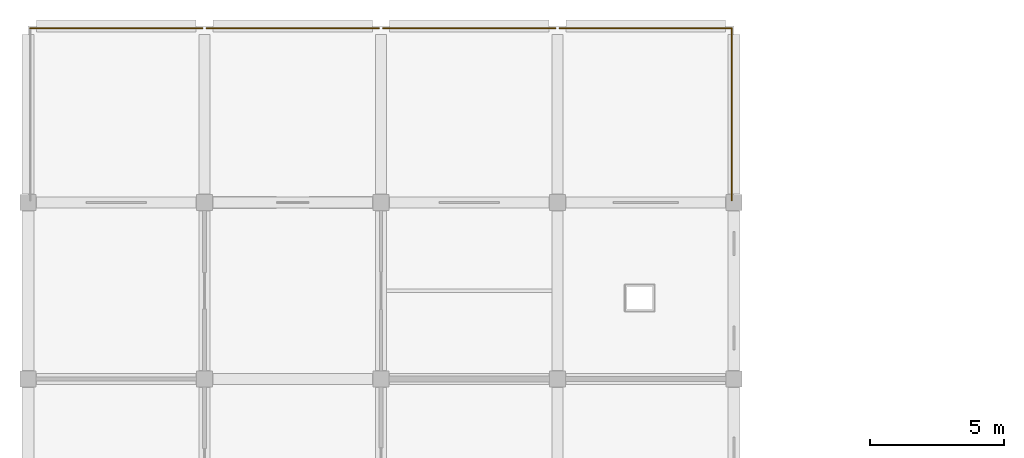
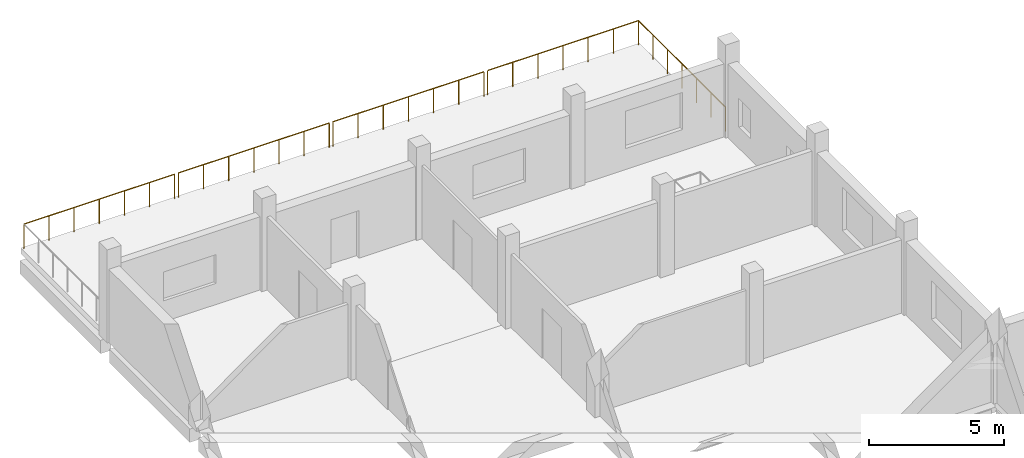
# One storey, part 7 of 7: 5 railings.
"""IFC4 building model written with IfcOpenShell, lengths in metres."""

from ifc_helpers import new_model, si_unit, direction, frame, origin, origin_2d, place, context, subcontext, project, spatial, circle, extrude, material, type_object, element, save


model = new_model("IFC4")

# Units and contexts
model_context = context("Model", 3, precision=1e-05, world=origin(), true_north=direction((0.0, 1.0)))
body_context = subcontext(model_context, "Body", "Model", "MODEL_VIEW")
ifc_project = project(units=[si_unit("LENGTHUNIT", "METRE"), si_unit("AREAUNIT", "SQUARE_METRE"), si_unit("VOLUMEUNIT", "CUBIC_METRE"), si_unit("PLANEANGLEUNIT", "RADIAN"), si_unit("MASSUNIT", "GRAM", prefix="KILO")], contexts=[model_context])

# Site, building, storey
site_placement = place(None, origin())
site = spatial("IfcSite", under=ifc_project, at=site_placement, CompositionType="ELEMENT")
building_placement = place(site_placement, origin())
building = spatial("IfcBuilding", under=site, at=building_placement, Name="Rusizi Kubbe Research Institute", CompositionType="ELEMENT")
storey_placement = place(building_placement, frame((0.0, 0.0, 64.800048828125)))
storey = spatial("IfcBuildingStorey", under=building, at=storey_placement, Name="L15", CompositionType="ELEMENT", Elevation=64.800048828125)

# Railings
ifc_material = material(Name="Architectural Painted Steel Balustrade", Category="steel")
railing_type = type_object("IfcRailingType", Name="GR-EXT", PredefinedType="GUARDRAIL", material=ifc_material)
railing_1_placement = place(storey_placement, frame((0.080078125, 52.719970703125, 0.0)))
element("IfcRailing", 1, at=railing_1_placement, inside=storey, type_object=railing_type, Name="Roof Terrace Guard L15-01", PredefinedType="GUARDRAIL", context=body_context, shape_type="SweptSolid", body=[
    extrude(circle(Radius=0.02392578125, at=origin_2d()), frame((0.0, 0.0, 1.09619140625), z_axis=(1.0, 0.0, 0.0), x_axis=(0.0, 1.0, 0.0)), (0.0, 0.0, 1.0), 6.43994140625),
    extrude(circle(Radius=0.02099609375, at=origin_2d()), origin(), (0.0, 0.0, 1.0), 1.072021484375),
    extrude(circle(Radius=0.02099609375, at=origin_2d()), frame((1.0732421875, 0.0, 0.0)), (0.0, 0.0, 1.0), 1.072021484375),
    extrude(circle(Radius=0.02099609375, at=origin_2d()), frame((2.146728515625, 0.0, 0.0)), (0.0, 0.0, 1.0), 1.072021484375),
    extrude(circle(Radius=0.02099609375, at=origin_2d()), frame((3.219970703125, 0.0, 0.0)), (0.0, 0.0, 1.0), 1.072021484375),
    extrude(circle(Radius=0.02099609375, at=origin_2d()), frame((4.293212890625, 0.0, 0.0)), (0.0, 0.0, 1.0), 1.072021484375),
    extrude(circle(Radius=0.02099609375, at=origin_2d()), frame((5.36669921875, 0.0, 0.0)), (0.0, 0.0, 1.0), 1.072021484375),
    extrude(circle(Radius=0.02099609375, at=origin_2d()), frame((6.43994140625, 0.0, 0.0)), (0.0, 0.0, 1.0), 1.072021484375),
])
railing_2_placement = place(storey_placement, frame((6.679931640625, 52.719970703125, 0.0)))
element("IfcRailing", 2, at=railing_2_placement, inside=storey, type_object=railing_type, Name="Roof Terrace Guard L15-03", PredefinedType="GUARDRAIL", context=body_context, shape_type="SweptSolid", body=[
    extrude(circle(Radius=0.02392578125, at=origin_2d()), frame((0.0, 0.0, 1.09619140625), z_axis=(1.0, 0.0, 0.0), x_axis=(0.0, 1.0, 0.0)), (0.0, 0.0, 1.0), 6.440185546875),
    extrude(circle(Radius=0.02099609375, at=origin_2d()), origin(), (0.0, 0.0, 1.0), 1.072021484375),
    extrude(circle(Radius=0.02099609375, at=origin_2d()), frame((1.0732421875, 0.0, 0.0)), (0.0, 0.0, 1.0), 1.072021484375),
    extrude(circle(Radius=0.02099609375, at=origin_2d()), frame((2.146728515625, 0.0, 0.0)), (0.0, 0.0, 1.0), 1.072021484375),
    extrude(circle(Radius=0.02099609375, at=origin_2d()), frame((3.22021484375, 0.0, 0.0)), (0.0, 0.0, 1.0), 1.072021484375),
    extrude(circle(Radius=0.02099609375, at=origin_2d()), frame((4.29345703125, 0.0, 0.0)), (0.0, 0.0, 1.0), 1.072021484375),
    extrude(circle(Radius=0.02099609375, at=origin_2d()), frame((5.36669921875, 0.0, 0.0)), (0.0, 0.0, 1.0), 1.072021484375),
    extrude(circle(Radius=0.02099609375, at=origin_2d()), frame((6.440185546875, 0.0, 0.0)), (0.0, 0.0, 1.0), 1.072021484375),
])
railing_3_placement = place(storey_placement, frame((13.280029296875, 52.719970703125, 0.0)))
element("IfcRailing", 3, at=railing_3_placement, inside=storey, type_object=railing_type, Name="Roof Terrace Guard L15-04", PredefinedType="GUARDRAIL", context=body_context, shape_type="SweptSolid", body=[
    extrude(circle(Radius=0.02392578125, at=origin_2d()), frame((0.0, 0.0, 1.09619140625), z_axis=(1.0, 0.0, 0.0), x_axis=(0.0, 1.0, 0.0)), (0.0, 0.0, 1.0), 6.43994140625),
    extrude(circle(Radius=0.02099609375, at=origin_2d()), origin(), (0.0, 0.0, 1.0), 1.072021484375),
    extrude(circle(Radius=0.02099609375, at=origin_2d()), frame((1.0732421875, 0.0, 0.0)), (0.0, 0.0, 1.0), 1.072021484375),
    extrude(circle(Radius=0.02099609375, at=origin_2d()), frame((2.146728515625, 0.0, 0.0)), (0.0, 0.0, 1.0), 1.072021484375),
    extrude(circle(Radius=0.02099609375, at=origin_2d()), frame((3.219970703125, 0.0, 0.0)), (0.0, 0.0, 1.0), 1.072021484375),
    extrude(circle(Radius=0.02099609375, at=origin_2d()), frame((4.293212890625, 0.0, 0.0)), (0.0, 0.0, 1.0), 1.072021484375),
    extrude(circle(Radius=0.02099609375, at=origin_2d()), frame((5.36669921875, 0.0, 0.0)), (0.0, 0.0, 1.0), 1.072021484375),
    extrude(circle(Radius=0.02099609375, at=origin_2d()), frame((6.43994140625, 0.0, 0.0)), (0.0, 0.0, 1.0), 1.072021484375),
])
railing_4_placement = place(storey_placement, frame((19.8798828125, 52.719970703125, 0.0)))
element("IfcRailing", 4, at=railing_4_placement, inside=storey, type_object=railing_type, Name="Roof Terrace Guard L15-05", PredefinedType="GUARDRAIL", context=body_context, shape_type="SweptSolid", body=[
    extrude(circle(Radius=0.02392578125, at=origin_2d()), frame((0.0, 0.0, 1.09619140625), z_axis=(1.0, 0.0, 0.0), x_axis=(0.0, 1.0, 0.0)), (0.0, 0.0, 1.0), 6.440185546875),
    extrude(circle(Radius=0.02099609375, at=origin_2d()), origin(), (0.0, 0.0, 1.0), 1.072021484375),
    extrude(circle(Radius=0.02099609375, at=origin_2d()), frame((1.0732421875, 0.0, 0.0)), (0.0, 0.0, 1.0), 1.072021484375),
    extrude(circle(Radius=0.02099609375, at=origin_2d()), frame((2.146728515625, 0.0, 0.0)), (0.0, 0.0, 1.0), 1.072021484375),
    extrude(circle(Radius=0.02099609375, at=origin_2d()), frame((3.22021484375, 0.0, 0.0)), (0.0, 0.0, 1.0), 1.072021484375),
    extrude(circle(Radius=0.02099609375, at=origin_2d()), frame((4.29345703125, 0.0, 0.0)), (0.0, 0.0, 1.0), 1.072021484375),
    extrude(circle(Radius=0.02099609375, at=origin_2d()), frame((5.36669921875, 0.0, 0.0)), (0.0, 0.0, 1.0), 1.072021484375),
    extrude(circle(Radius=0.02099609375, at=origin_2d()), frame((6.440185546875, 0.0, 0.0)), (0.0, 0.0, 1.0), 1.072021484375),
])
railing_5_placement = place(storey_placement, frame((26.320068359375, 46.280029296875, 0.0)))
element("IfcRailing", 5, at=railing_5_placement, inside=storey, type_object=railing_type, Name="Roof Terrace Guard L15-06", PredefinedType="GUARDRAIL", context=body_context, shape_type="SweptSolid", body=[
    extrude(circle(Radius=0.02392578125, at=origin_2d()), frame((0.0, 0.0, 1.09619140625), z_axis=(0.0, 1.0, 0.0), x_axis=(-1.0, 0.0, 0.0)), (0.0, 0.0, 1.0), 6.43994140625),
    extrude(circle(Radius=0.02099609375, at=origin_2d()), origin(), (0.0, 0.0, 1.0), 1.072021484375),
    extrude(circle(Radius=0.02099609375, at=origin_2d()), frame((0.0, 1.0732421875, 0.0)), (0.0, 0.0, 1.0), 1.072021484375),
    extrude(circle(Radius=0.02099609375, at=origin_2d()), frame((0.0, 2.146728515625, 0.0)), (0.0, 0.0, 1.0), 1.072021484375),
    extrude(circle(Radius=0.02099609375, at=origin_2d()), frame((0.0, 3.219970703125, 0.0)), (0.0, 0.0, 1.0), 1.072021484375),
    extrude(circle(Radius=0.02099609375, at=origin_2d()), frame((0.0, 4.293212890625, 0.0)), (0.0, 0.0, 1.0), 1.072021484375),
    extrude(circle(Radius=0.02099609375, at=origin_2d()), frame((0.0, 5.36669921875, 0.0)), (0.0, 0.0, 1.0), 1.072021484375),
    extrude(circle(Radius=0.02099609375, at=origin_2d()), frame((0.0, 6.43994140625, 0.0)), (0.0, 0.0, 1.0), 1.072021484375),
])

save(model, "model.ifc")
